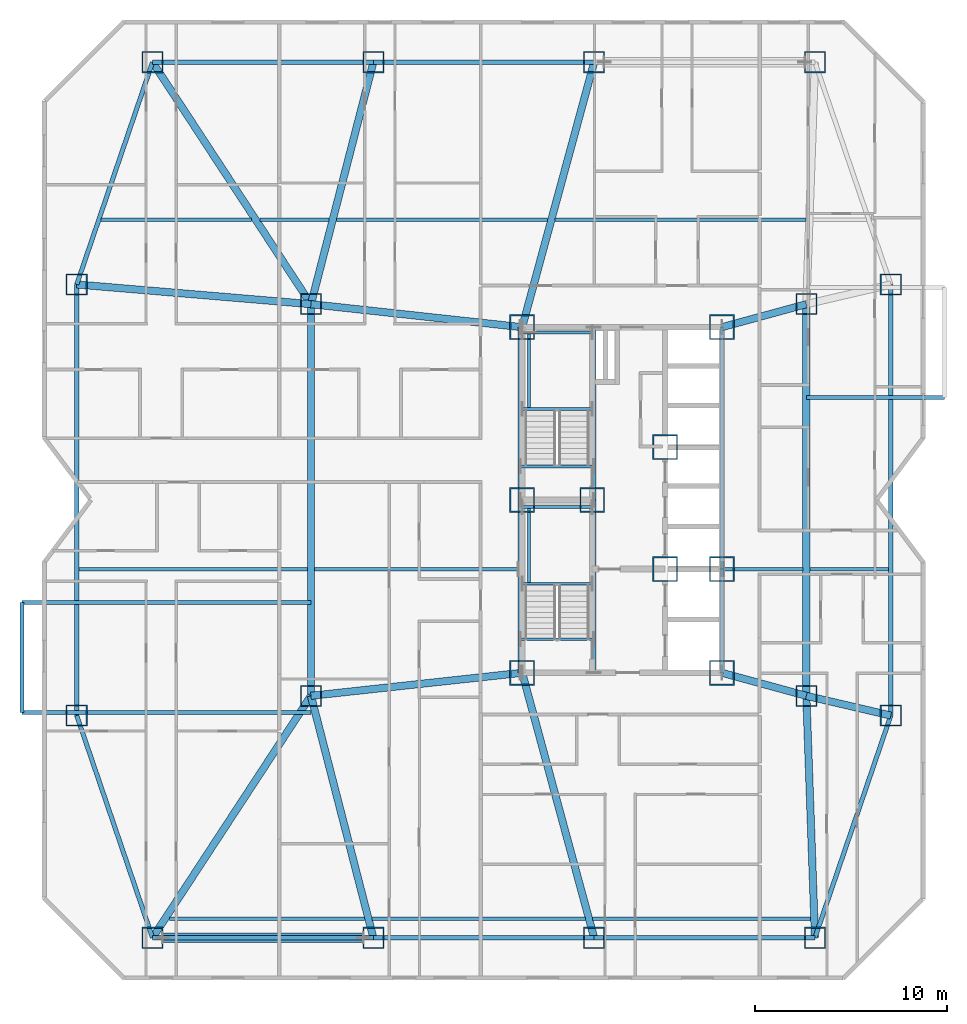
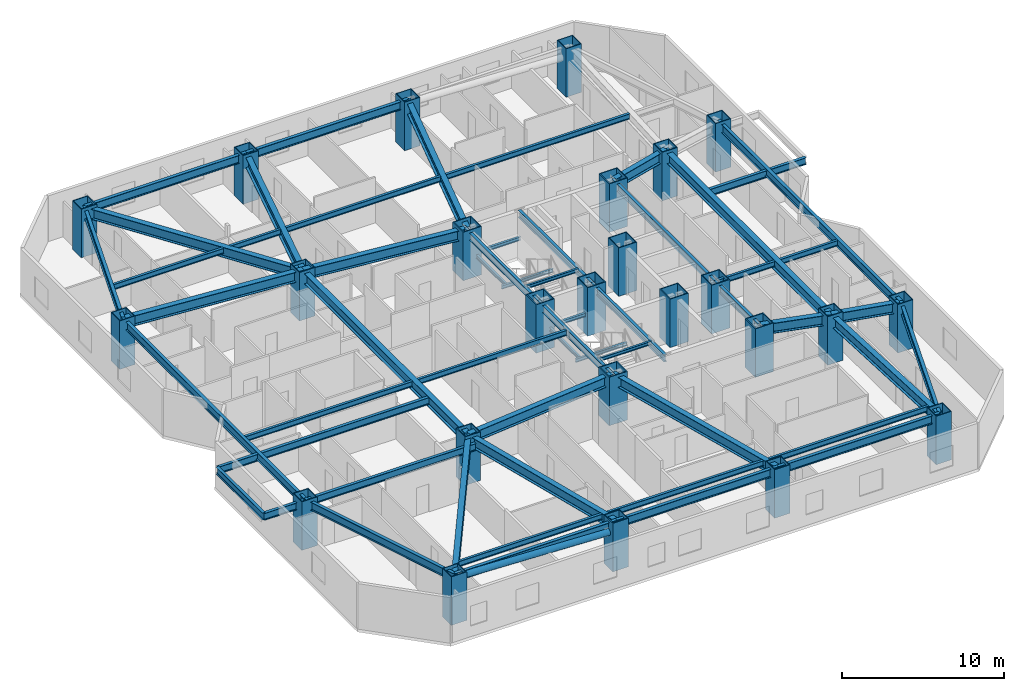
# One storey, part 1 of 13: 54 beams, 25 columns, 1 member.
"""IFC4 building model written with IfcOpenShell, lengths in metres."""

from ifc_helpers import new_model, si_unit, direction, frame, origin, origin_2d, place, context, subcontext, project, spatial, hollow_rectangle, hollow_circle, i_section, extrude, material, material_profile, profile_set, type_object, element, save


model = new_model("IFC4")

# Units and contexts
model_context = context("Model", 3, precision=1e-05, world=origin(), true_north=direction((0.0, 1.0)))
body_context = subcontext(model_context, "Body", "Model", "MODEL_VIEW")
ifc_project = project(units=[si_unit("LENGTHUNIT", "METRE"), si_unit("AREAUNIT", "SQUARE_METRE"), si_unit("VOLUMEUNIT", "CUBIC_METRE"), si_unit("PLANEANGLEUNIT", "RADIAN"), si_unit("MASSUNIT", "GRAM", prefix="KILO")], contexts=[model_context])

# Site, building, storey
site_placement = place(None, origin())
site = spatial("IfcSite", under=ifc_project, at=site_placement, CompositionType="ELEMENT")
building_placement = place(site_placement, origin())
building = spatial("IfcBuilding", under=site, at=building_placement, Name="Khamvora Tower", CompositionType="ELEMENT")
storey_placement = place(building_placement, frame((0.0, 0.0, 62.5)))
storey = spatial("IfcBuildingStorey", under=building, at=storey_placement, Name="L15", CompositionType="ELEMENT", Elevation=62.5)

# Columns
ifc_material_1 = material(Name="Steel S460", Category="steel")
ifc_material_profile_1 = material_profile(ifc_material_1, hollow_rectangle(XDim=1.10009765625, YDim=1.10009765625, WallThickness=0.054931640625, at=origin_2d()), Name="BOX1100x1100x55")
ifc_profile_set_1 = profile_set([ifc_material_profile_1], Name="Steel S460")
column_type_1 = type_object("IfcColumnType", Name="COL-BOX1100", PredefinedType="COLUMN", material=ifc_profile_set_1)
for number, where, z_axis, x_axis, name in (
    (1, (9.75, 5.199951171875, 0.0), (0.0, 0.0, 1.0), (1.0, 0.0, 0.0), "L15 structural frame column S1"),
    (2, (21.25, 5.199951171875, 0.0), (0.0, 0.0, 1.0), (1.0, 0.0, 0.0), "L15 structural frame column S2"),
    (3, (32.75, 5.199951171875, 0.0), (0.0, 0.0, 1.0), (1.0, 0.0, 0.0), "L15 structural frame column S3"),
    (4, (44.25, 5.199951171875, 0.0), (0.0, 0.0, 1.0), (1.0, 0.0, 0.0), "L15 structural frame column S4"),
    (5, (9.75, 50.800048828125, 0.0), (0.0, 0.0, 1.0), (1.0, 0.0, 0.0), "L15 structural frame column N1"),
    (6, (21.25, 50.800048828125, 0.0), (0.0, 0.0, 1.0), (1.0, 0.0, 0.0), "L15 structural frame column N2"),
    (7, (32.75, 50.800048828125, 0.0), (0.0, 0.0, 1.0), (1.0, 0.0, 0.0), "L15 structural frame column N3"),
    (8, (44.25, 50.800048828125, 0.0), (0.0, 0.0, 1.0), (1.0, 0.0, 0.0), "L15 structural frame column N4"),
    (9, (5.800048828125, 16.77490234375, 0.0), (0.0, 0.0, 1.0), (1.0, 0.0, 0.0), "L15 structural frame column W1"),
    (10, (5.800048828125, 39.22509765625, 0.0), (0.0, 0.0, 1.0), (1.0, 0.0, 0.0), "L15 structural frame column W2"),
    (11, (48.199951171875, 16.77490234375, 0.0), (0.0, 0.0, 1.0), (1.0, 0.0, 0.0), "L15 structural frame column E1"),
    (12, (48.199951171875, 39.22509765625, 0.0), (0.0, 0.0, 1.0), (1.0, 0.0, 0.0), "L15 structural frame column E2"),
    (13, (18.0, 17.800048828125, 0.0), (0.0, 0.0, 1.0), (1.0, 0.0, 0.0), "L15 structural frame column MW1"),
    (14, (18.0, 38.199951171875, 0.0), (0.0, 0.0, 1.0), (1.0, 0.0, 0.0), "L15 structural frame column MW2"),
    (15, (43.800048828125, 17.800048828125, 0.0), (0.0, 0.0, 1.0), (1.0, 0.0, 0.0), "L15 structural frame column M1"),
    (16, (43.800048828125, 38.199951171875, 0.0), (0.0, 0.0, 1.0), (1.0, 0.0, 0.0), "L15 structural frame column M2"),
):
    element("IfcColumn", number, at=place(storey_placement, frame(where, z_axis=z_axis, x_axis=x_axis)), inside=storey, type_object=column_type_1, Name=name, PredefinedType="COLUMN", context=body_context, shape_type="SweptSolid", body=[
        extrude(hollow_rectangle(XDim=1.10009765625, YDim=1.10009765625, WallThickness=0.054931640625, at=origin_2d()), origin(), (0.0, 0.0, 1.0), 3.64990234375),
    ])
ifc_material_profile_2 = material_profile(ifc_material_1, hollow_rectangle(XDim=1.300048828125, YDim=1.300048828125, WallThickness=0.06494140625, at=origin_2d()), Name="BOX1300x1300x65")
ifc_profile_set_2 = profile_set([ifc_material_profile_2], Name="Steel S460")
column_type_2 = type_object("IfcColumnType", Name="COL-BOX1300", PredefinedType="COLUMN", material=ifc_profile_set_2)
for number, where, z_axis, x_axis, name in (
    (17, (29.0, 19.0, 0.0), (0.0, 0.0, 1.0), (1.0, 0.0, 0.0), "L15 plumb core spine column SC1"),
    (18, (32.64990234375, 28.0, 0.0), (0.0, 0.0, 1.0), (1.0, 0.0, 0.0), "L15 plumb core spine column SC2"),
    (19, (39.39990234375, 19.0, 0.0), (0.0, 0.0, 1.0), (1.0, 0.0, 0.0), "L15 plumb core spine column SC3"),
    (20, (29.0, 28.0, 0.0), (0.0, 0.0, 1.0), (1.0, 0.0, 0.0), "L15 plumb core spine column SC4"),
    (21, (36.449951171875, 24.39990234375, 0.0), (0.0, 0.0, 1.0), (1.0, 0.0, 0.0), "L15 plumb core spine column SC5"),
    (22, (39.39990234375, 24.39990234375, 0.0), (0.0, 0.0, 1.0), (1.0, 0.0, 0.0), "L15 plumb core spine column SC6"),
    (23, (29.0, 37.0, 0.0), (0.0, 0.0, 1.0), (1.0, 0.0, 0.0), "L15 plumb core spine column SC7"),
    (24, (36.449951171875, 30.75, 0.0), (0.0, 0.0, 1.0), (1.0, 0.0, 0.0), "L15 plumb core spine column SC8"),
    (25, (39.39990234375, 37.0, 0.0), (0.0, 0.0, 1.0), (1.0, 0.0, 0.0), "L15 plumb core spine column SC9"),
):
    element("IfcColumn", number, at=place(storey_placement, frame(where, z_axis=z_axis, x_axis=x_axis)), inside=storey, type_object=column_type_2, Name=name, PredefinedType="COLUMN", context=body_context, shape_type="SweptSolid", body=[
        extrude(hollow_rectangle(XDim=1.300048828125, YDim=1.300048828125, WallThickness=0.06494140625, at=origin_2d()), origin(), (0.0, 0.0, 1.0), 3.64990234375),
    ])

# Beams
ifc_material_2 = material(Name="Steel S355", Category="steel")
ifc_material_profile_3 = material_profile(ifc_material_2, i_section(OverallWidth=0.177978515625, OverallDepth=0.406982421875, WebThickness=0.008056640625, FlangeThickness=0.012939453125, FilletRadius=0.010009765625, at=origin_2d()), Name="W410x60")
ifc_profile_set_3 = profile_set([ifc_material_profile_3], Name="Steel S355")
beam_type_1 = type_object("IfcBeamType", Name="BM-JS-W410x60", PredefinedType="JOIST", material=ifc_profile_set_3)
beam_1_placement = place(storey_placement, frame((10.626953125, 6.199951171875, 3.22705078125), z_axis=(1.0, 0.0, 0.0), x_axis=(0.0, 1.0, 0.0)))
element("IfcBeam", 26, at=beam_1_placement, inside=storey, type_object=beam_type_1, Name="L15 secondary floor joist 01", PredefinedType="JOIST", context=body_context, shape_type="SweptSolid", body=[
    extrude(i_section(OverallWidth=0.177978515625, OverallDepth=0.406982421875, WebThickness=0.008056640625, FlangeThickness=0.012939453125, FilletRadius=0.010009765625, at=origin_2d()), origin(), (0.0, 0.0, 1.0), 10.173095703125),
])
beam_2_placement = place(storey_placement, frame((21.18408203125, 6.199951171875, 3.22705078125), z_axis=(1.0, 0.0, 0.0), x_axis=(0.0, 1.0, 0.0)))
element("IfcBeam", 27, at=beam_2_placement, inside=storey, type_object=beam_type_1, Name="L15 secondary floor joist 02", PredefinedType="JOIST", context=body_context, shape_type="SweptSolid", body=[
    extrude(i_section(OverallWidth=0.177978515625, OverallDepth=0.406982421875, WebThickness=0.008056640625, FlangeThickness=0.012939453125, FilletRadius=0.010009765625, at=origin_2d()), origin(), (0.0, 0.0, 1.0), 11.101806640625),
])
beam_3_placement = place(storey_placement, frame((32.6708984375, 6.199951171875, 3.22705078125), z_axis=(1.0, 0.0, 0.0), x_axis=(0.0, 1.0, 0.0)))
element("IfcBeam", 28, at=beam_3_placement, inside=storey, type_object=beam_type_1, Name="L15 secondary floor joist 03", PredefinedType="JOIST", context=body_context, shape_type="SweptSolid", body=[
    extrude(i_section(OverallWidth=0.177978515625, OverallDepth=0.406982421875, WebThickness=0.008056640625, FlangeThickness=0.012939453125, FilletRadius=0.010009765625, at=origin_2d()), origin(), (0.0, 0.0, 1.0), 11.358154296875),
])
beam_4_placement = place(storey_placement, frame((5.909912109375, 24.39990234375, 3.22705078125), z_axis=(1.0, 0.0, 0.0), x_axis=(0.0, 1.0, 0.0)))
element("IfcBeam", 29, at=beam_4_placement, inside=storey, type_object=beam_type_1, Name="L15 secondary floor joist 04", PredefinedType="JOIST", context=body_context, shape_type="SweptSolid", body=[
    extrude(i_section(OverallWidth=0.177978515625, OverallDepth=0.406982421875, WebThickness=0.008056640625, FlangeThickness=0.012939453125, FilletRadius=0.010009765625, at=origin_2d()), origin(), (0.0, 0.0, 1.0), 11.904052734375),
])
beam_5_placement = place(storey_placement, frame((18.18603515625, 24.39990234375, 3.22705078125), z_axis=(1.0, 0.0, 0.0), x_axis=(0.0, 1.0, 0.0)))
element("IfcBeam", 30, at=beam_5_placement, inside=storey, type_object=beam_type_1, Name="L15 secondary floor joist 05", PredefinedType="JOIST", context=body_context, shape_type="SweptSolid", body=[
    extrude(i_section(OverallWidth=0.177978515625, OverallDepth=0.406982421875, WebThickness=0.008056640625, FlangeThickness=0.012939453125, FilletRadius=0.010009765625, at=origin_2d()), origin(), (0.0, 0.0, 1.0), 10.614013671875),
])
beam_6_placement = place(storey_placement, frame((39.4990234375, 24.39990234375, 3.22705078125), z_axis=(1.0, 0.0, 0.0), x_axis=(0.0, 1.0, 0.0)))
element("IfcBeam", 31, at=beam_6_placement, inside=storey, type_object=beam_type_1, Name="L15 secondary floor joist 06", PredefinedType="JOIST", context=body_context, shape_type="SweptSolid", body=[
    extrude(i_section(OverallWidth=0.177978515625, OverallDepth=0.406982421875, WebThickness=0.008056640625, FlangeThickness=0.012939453125, FilletRadius=0.010009765625, at=origin_2d()), origin(), (0.0, 0.0, 1.0), 4.114990234375),
])
beam_7_placement = place(storey_placement, frame((43.985107421875, 24.39990234375, 3.22705078125), z_axis=(1.0, 0.0, 0.0), x_axis=(0.0, 1.0, 0.0)))
element("IfcBeam", 32, at=beam_7_placement, inside=storey, type_object=beam_type_1, Name="L15 secondary floor joist 07", PredefinedType="JOIST", context=body_context, shape_type="SweptSolid", body=[
    extrude(i_section(OverallWidth=0.177978515625, OverallDepth=0.406982421875, WebThickness=0.008056640625, FlangeThickness=0.012939453125, FilletRadius=0.010009765625, at=origin_2d()), origin(), (0.0, 0.0, 1.0), 4.10498046875),
])
beam_8_placement = place(storey_placement, frame((7.068115234375, 42.60009765625, 3.22705078125), z_axis=(1.0, 0.0, 0.0), x_axis=(0.0, 1.0, 0.0)))
element("IfcBeam", 33, at=beam_8_placement, inside=storey, type_object=beam_type_1, Name="L15 secondary floor joist 08", PredefinedType="JOIST", context=body_context, shape_type="SweptSolid", body=[
    extrude(i_section(OverallWidth=0.177978515625, OverallDepth=0.406982421875, WebThickness=0.008056640625, FlangeThickness=0.012939453125, FilletRadius=0.010009765625, at=origin_2d()), origin(), (0.0, 0.0, 1.0), 7.827880859375),
])
beam_9_placement = place(storey_placement, frame((15.342041015625, 42.60009765625, 3.22705078125), z_axis=(1.0, 0.0, 0.0), x_axis=(0.0, 1.0, 0.0)))
element("IfcBeam", 34, at=beam_9_placement, inside=storey, type_object=beam_type_1, Name="L15 secondary floor joist 09", PredefinedType="JOIST", context=body_context, shape_type="SweptSolid", body=[
    extrude(i_section(OverallWidth=0.177978515625, OverallDepth=0.406982421875, WebThickness=0.008056640625, FlangeThickness=0.012939453125, FilletRadius=0.010009765625, at=origin_2d()), origin(), (0.0, 0.0, 1.0), 3.60107421875),
])
beam_10_placement = place(storey_placement, frame((19.326904296875, 42.60009765625, 3.22705078125), z_axis=(1.0, 0.0, 0.0), x_axis=(0.0, 1.0, 0.0)))
element("IfcBeam", 35, at=beam_10_placement, inside=storey, type_object=beam_type_1, Name="L15 secondary floor joist 10", PredefinedType="JOIST", context=body_context, shape_type="SweptSolid", body=[
    extrude(i_section(OverallWidth=0.177978515625, OverallDepth=0.406982421875, WebThickness=0.008056640625, FlangeThickness=0.012939453125, FilletRadius=0.010009765625, at=origin_2d()), origin(), (0.0, 0.0, 1.0), 11.002197265625),
])
beam_11_placement = place(storey_placement, frame((30.714111328125, 42.60009765625, 3.22705078125), z_axis=(1.0, 0.0, 0.0), x_axis=(0.0, 1.0, 0.0)))
element("IfcBeam", 36, at=beam_11_placement, inside=storey, type_object=beam_type_1, Name="L15 secondary floor joist 11", PredefinedType="JOIST", context=body_context, shape_type="SweptSolid", body=[
    extrude(i_section(OverallWidth=0.177978515625, OverallDepth=0.406982421875, WebThickness=0.008056640625, FlangeThickness=0.012939453125, FilletRadius=0.010009765625, at=origin_2d()), origin(), (0.0, 0.0, 1.0), 13.057861328125),
])
ifc_material_profile_4 = material_profile(ifc_material_2, i_section(OverallWidth=0.14697265625, OverallDepth=0.261962890625, WebThickness=0.007080078125, FlangeThickness=0.010986328125, FilletRadius=0.008056640625, at=origin_2d()), Name="W250x39")
ifc_profile_set_4 = profile_set([ifc_material_profile_4], Name="Steel S355")
beam_type_2 = type_object("IfcBeamType", Name="BM-LN-W250x39", PredefinedType="LINTEL", material=ifc_profile_set_4)
for number, where, z_axis, x_axis, name in (
    (37, (29.0, 23.635009765625, 1.493896484375), (1.0, 0.0, 0.0), (0.0, 1.0, 0.0), "L15 ST-01 half-landing support beam 1.1"),
    (38, (29.0, 27.6298828125, 1.493896484375), (1.0, 0.0, 0.0), (0.0, 1.0, 0.0), "L15 ST-01 half-landing support beam 1.2"),
):
    element("IfcBeam", number, at=place(storey_placement, frame(where, z_axis=z_axis, x_axis=x_axis)), inside=storey, type_object=beam_type_2, Name=name, PredefinedType="LINTEL", context=body_context, shape_type="SweptSolid", body=[
        extrude(i_section(OverallWidth=0.14697265625, OverallDepth=0.261962890625, WebThickness=0.007080078125, FlangeThickness=0.010986328125, FilletRadius=0.008056640625, at=origin_2d()), origin(), (0.0, 0.0, 1.0), 3.64990234375),
    ])
beam_12_placement = place(storey_placement, frame((29.35009765625, 23.635009765625, 1.493896484375), z_axis=(0.0, 1.0, 0.0), x_axis=(-1.0, 0.0, 0.0)))
element("IfcBeam", 39, at=beam_12_placement, inside=storey, type_object=beam_type_2, Name="L15 ST-01 half-landing edge stringer 1", PredefinedType="LINTEL", context=body_context, shape_type="SweptSolid", body=[
    extrude(i_section(OverallWidth=0.14697265625, OverallDepth=0.261962890625, WebThickness=0.007080078125, FlangeThickness=0.010986328125, FilletRadius=0.008056640625, at=origin_2d()), origin(), (0.0, 0.0, 1.0), 3.994873046875),
])
for number, where, z_axis, x_axis, name in (
    (40, (29.0, 32.735107421875, 1.493896484375), (1.0, 0.0, 0.0), (0.0, 1.0, 0.0), "L15 ST-02 half-landing support beam 1.1"),
    (41, (29.0, 36.72998046875, 1.493896484375), (1.0, 0.0, 0.0), (0.0, 1.0, 0.0), "L15 ST-02 half-landing support beam 1.2"),
):
    element("IfcBeam", number, at=place(storey_placement, frame(where, z_axis=z_axis, x_axis=x_axis)), inside=storey, type_object=beam_type_2, Name=name, PredefinedType="LINTEL", context=body_context, shape_type="SweptSolid", body=[
        extrude(i_section(OverallWidth=0.14697265625, OverallDepth=0.261962890625, WebThickness=0.007080078125, FlangeThickness=0.010986328125, FilletRadius=0.008056640625, at=origin_2d()), origin(), (0.0, 0.0, 1.0), 3.64990234375),
    ])
beam_13_placement = place(storey_placement, frame((29.35009765625, 32.735107421875, 1.493896484375), z_axis=(0.0, 1.0, 0.0), x_axis=(-1.0, 0.0, 0.0)))
element("IfcBeam", 42, at=beam_13_placement, inside=storey, type_object=beam_type_2, Name="L15 ST-02 half-landing edge stringer 1", PredefinedType="LINTEL", context=body_context, shape_type="SweptSolid", body=[
    extrude(i_section(OverallWidth=0.14697265625, OverallDepth=0.261962890625, WebThickness=0.007080078125, FlangeThickness=0.010986328125, FilletRadius=0.008056640625, at=origin_2d()), origin(), (0.0, 0.0, 1.0), 3.994873046875),
])
for number, where, z_axis, x_axis, name in (
    (43, (28.89990234375, 20.75, 3.303955078125), (1.0, 0.0, 0.0), (0.0, 1.0, 0.0), "L15 exit stair ST-01 landing trimmer beam"),
    (44, (28.89990234375, 29.75, 3.303955078125), (1.0, 0.0, 0.0), (0.0, 1.0, 0.0), "L15 exit stair ST-02 landing trimmer beam"),
):
    element("IfcBeam", number, at=place(storey_placement, frame(where, z_axis=z_axis, x_axis=x_axis)), inside=storey, type_object=beam_type_2, Name=name, PredefinedType="LINTEL", context=body_context, shape_type="SweptSolid", body=[
        extrude(i_section(OverallWidth=0.14697265625, OverallDepth=0.261962890625, WebThickness=0.007080078125, FlangeThickness=0.010986328125, FilletRadius=0.008056640625, at=origin_2d()), origin(), (0.0, 0.0, 1.0), 3.830078125),
    ])
ifc_material_profile_5 = material_profile(ifc_material_2, i_section(OverallWidth=0.381103515625, OverallDepth=0.77294921875, WebThickness=0.01708984375, FlangeThickness=0.027099609375, FilletRadius=0.01806640625, at=origin_2d()), Name="W760x257")
ifc_profile_set_5 = profile_set([ifc_material_profile_5], Name="Steel S355")
beam_type_3 = type_object("IfcBeamType", Name="BM-PG-W760x257", PredefinedType="BEAM", material=ifc_profile_set_5)
for number, where, z_axis, x_axis, name in (
    (45, (43.800048828125, 17.800048828125, 3.0439453125), (0.0, 1.0, 0.0), (-1.0, 0.0, 0.0), "L15 longitudinal frame girder M1-M2"),
    (46, (18.0, 17.800048828125, 3.0439453125), (0.0, 1.0, 0.0), (-1.0, 0.0, 0.0), "L15 longitudinal frame girder MW1-MW2"),
):
    element("IfcBeam", number, at=place(storey_placement, frame(where, z_axis=z_axis, x_axis=x_axis)), inside=storey, type_object=beam_type_3, Name=name, PredefinedType="BEAM", context=body_context, shape_type="SweptSolid", body=[
        extrude(i_section(OverallWidth=0.381103515625, OverallDepth=0.77294921875, WebThickness=0.01708984375, FlangeThickness=0.027099609375, FilletRadius=0.01806640625, at=origin_2d()), origin(), (0.0, 0.0, 1.0), 20.39990234375),
    ])
beam_14_placement = place(storey_placement, frame((18.0, 17.800048828125, 3.0439453125), z_axis=(-0.547782969742, -0.836620474325, 0.0), x_axis=(0.836620474325, -0.547782969742, 0.0)))
element("IfcBeam", 47, at=beam_14_placement, inside=storey, type_object=beam_type_3, Name="L15 primary floor girder S1", PredefinedType="BEAM", context=body_context, shape_type="SweptSolid", body=[
    extrude(i_section(OverallWidth=0.381103515625, OverallDepth=0.77294921875, WebThickness=0.01708984375, FlangeThickness=0.027099609375, FilletRadius=0.01806640625, at=origin_2d()), origin(), (0.0, 0.0, 1.0), 15.060791015625),
])
beam_15_placement = place(storey_placement, frame((18.0, 17.800048828125, 3.0439453125), z_axis=(0.249759990341, -0.968307775051, 0.0), x_axis=(0.968307775051, 0.249759990341, 0.0)))
element("IfcBeam", 48, at=beam_15_placement, inside=storey, type_object=beam_type_3, Name="L15 primary floor girder S2", PredefinedType="BEAM", context=body_context, shape_type="SweptSolid", body=[
    extrude(i_section(OverallWidth=0.381103515625, OverallDepth=0.77294921875, WebThickness=0.01708984375, FlangeThickness=0.027099609375, FilletRadius=0.01806640625, at=origin_2d()), origin(), (0.0, 0.0, 1.0), 13.012451171875),
])
beam_16_placement = place(storey_placement, frame((29.0, 19.0, 3.0439453125), z_axis=(0.262228883577, -0.965005706003, 0.0), x_axis=(0.965005706003, 0.262228883577, 0.0)))
element("IfcBeam", 49, at=beam_16_placement, inside=storey, type_object=beam_type_3, Name="L15 primary floor girder S3", PredefinedType="BEAM", context=body_context, shape_type="SweptSolid", body=[
    extrude(i_section(OverallWidth=0.381103515625, OverallDepth=0.77294921875, WebThickness=0.01708984375, FlangeThickness=0.027099609375, FilletRadius=0.01806640625, at=origin_2d()), origin(), (0.0, 0.0, 1.0), 14.300537109375),
])
beam_17_placement = place(storey_placement, frame((43.800048828125, 17.800048828125, 3.0439453125), z_axis=(0.035687386423, -0.999363002342, 0.0), x_axis=(0.999363002342, 0.035687386423, 0.0)))
element("IfcBeam", 50, at=beam_17_placement, inside=storey, type_object=beam_type_3, Name="L15 primary floor girder S4", PredefinedType="BEAM", context=body_context, shape_type="SweptSolid", body=[
    extrude(i_section(OverallWidth=0.381103515625, OverallDepth=0.77294921875, WebThickness=0.01708984375, FlangeThickness=0.027099609375, FilletRadius=0.01806640625, at=origin_2d()), origin(), (0.0, 0.0, 1.0), 12.608154296875),
])
beam_18_placement = place(storey_placement, frame((18.0, 38.199951171875, 3.0439453125), z_axis=(-0.547782969742, 0.836620474325, 0.0), x_axis=(-0.836620474325, -0.547782969742, 0.0)))
element("IfcBeam", 51, at=beam_18_placement, inside=storey, type_object=beam_type_3, Name="L15 primary floor girder N1", PredefinedType="BEAM", context=body_context, shape_type="SweptSolid", body=[
    extrude(i_section(OverallWidth=0.381103515625, OverallDepth=0.77294921875, WebThickness=0.01708984375, FlangeThickness=0.027099609375, FilletRadius=0.01806640625, at=origin_2d()), origin(), (0.0, 0.0, 1.0), 15.060791015625),
])
beam_19_placement = place(storey_placement, frame((18.0, 38.199951171875, 3.0439453125), z_axis=(0.249759990341, 0.968307775051, 0.0), x_axis=(-0.968307775051, 0.249759990341, 0.0)))
element("IfcBeam", 52, at=beam_19_placement, inside=storey, type_object=beam_type_3, Name="L15 primary floor girder N2", PredefinedType="BEAM", context=body_context, shape_type="SweptSolid", body=[
    extrude(i_section(OverallWidth=0.381103515625, OverallDepth=0.77294921875, WebThickness=0.01708984375, FlangeThickness=0.027099609375, FilletRadius=0.01806640625, at=origin_2d()), origin(), (0.0, 0.0, 1.0), 13.012451171875),
])
beam_20_placement = place(storey_placement, frame((29.0, 37.0, 3.0439453125), z_axis=(0.262228883577, 0.965005706003, 0.0), x_axis=(-0.965005706003, 0.262228883577, 0.0)))
element("IfcBeam", 53, at=beam_20_placement, inside=storey, type_object=beam_type_3, Name="L15 primary floor girder N3", PredefinedType="BEAM", context=body_context, shape_type="SweptSolid", body=[
    extrude(i_section(OverallWidth=0.381103515625, OverallDepth=0.77294921875, WebThickness=0.01708984375, FlangeThickness=0.027099609375, FilletRadius=0.01806640625, at=origin_2d()), origin(), (0.0, 0.0, 1.0), 14.300537109375),
])
beam_21_placement = place(storey_placement, frame((18.0, 38.199951171875, 3.0439453125), z_axis=(-0.996488172114, 0.083733642207, 0.0), x_axis=(-0.083733642207, -0.996488172114, 0.0)))
element("IfcBeam", 54, at=beam_21_placement, inside=storey, type_object=beam_type_3, Name="L15 primary floor girder W2", PredefinedType="BEAM", context=body_context, shape_type="SweptSolid", body=[
    extrude(i_section(OverallWidth=0.381103515625, OverallDepth=0.77294921875, WebThickness=0.01708984375, FlangeThickness=0.027099609375, FilletRadius=0.01806640625, at=origin_2d()), origin(), (0.0, 0.0, 1.0), 12.242919921875),
])
beam_22_placement = place(storey_placement, frame((43.800048828125, 17.800048828125, 3.0439453125), z_axis=(0.973914503503, -0.226915270237, 0.0), x_axis=(0.226915270237, 0.973914503503, 0.0)))
element("IfcBeam", 55, at=beam_22_placement, inside=storey, type_object=beam_type_3, Name="L15 primary floor girder E1", PredefinedType="BEAM", context=body_context, shape_type="SweptSolid", body=[
    extrude(i_section(OverallWidth=0.381103515625, OverallDepth=0.77294921875, WebThickness=0.01708984375, FlangeThickness=0.027099609375, FilletRadius=0.01806640625, at=origin_2d()), origin(), (0.0, 0.0, 1.0), 4.517822265625),
])
for number, where, z_axis, x_axis, name in (
    (56, (29.0, 19.0, 3.0439453125), (-0.994102652327, -0.108443149329, 0.0), (0.108443149329, -0.994102652327, 0.0), "L15 primary floor girder MW1"),
    (57, (29.0, 37.0, 3.0439453125), (-0.994102652327, 0.108443149329, 0.0), (-0.108443149329, -0.994102652327, 0.0), "L15 primary floor girder MW2"),
):
    element("IfcBeam", number, at=place(storey_placement, frame(where, z_axis=z_axis, x_axis=x_axis)), inside=storey, type_object=beam_type_3, Name=name, PredefinedType="BEAM", context=body_context, shape_type="SweptSolid", body=[
        extrude(i_section(OverallWidth=0.381103515625, OverallDepth=0.77294921875, WebThickness=0.01708984375, FlangeThickness=0.027099609375, FilletRadius=0.01806640625, at=origin_2d()), origin(), (0.0, 0.0, 1.0), 11.065185546875),
    ])
for number, where, z_axis, x_axis, name in (
    (58, (39.39990234375, 19.0, 3.0439453125), (0.964768762286, -0.263099287945, 0.0), (0.263099287945, 0.964768762286, 0.0), "L15 primary floor girder M1"),
    (59, (39.39990234375, 37.0, 3.0439453125), (0.964768762286, 0.263099287945, 0.0), (-0.263099287945, 0.964768762286, 0.0), "L15 primary floor girder M2"),
):
    element("IfcBeam", number, at=place(storey_placement, frame(where, z_axis=z_axis, x_axis=x_axis)), inside=storey, type_object=beam_type_3, Name=name, PredefinedType="BEAM", context=body_context, shape_type="SweptSolid", body=[
        extrude(i_section(OverallWidth=0.381103515625, OverallDepth=0.77294921875, WebThickness=0.01708984375, FlangeThickness=0.027099609375, FilletRadius=0.01806640625, at=origin_2d()), origin(), (0.0, 0.0, 1.0), 4.560791015625),
    ])
ifc_material_profile_6 = material_profile(ifc_material_2, i_section(OverallWidth=0.208984375, OverallDepth=0.532958984375, WebThickness=0.010009765625, FlangeThickness=0.01611328125, FilletRadius=0.013916015625, at=origin_2d()), Name="W530x92")
ifc_profile_set_6 = profile_set([ifc_material_profile_6], Name="Steel S355")
beam_type_4 = type_object("IfcBeamType", Name="BM-SP-W530x92", PredefinedType="SPANDREL", material=ifc_profile_set_6)
for number, where, z_axis, x_axis, name in (
    (60, (28.89990234375, 19.0, 3.1640625), (0.0, 1.0, 0.0), (-1.0, 0.0, 0.0), "L15 core spine girder WS"),
    (61, (28.89990234375, 28.0, 3.1640625), (0.0, 1.0, 0.0), (-1.0, 0.0, 0.0), "L15 core spine girder WN"),
    (62, (32.72998046875, 19.0, 3.1640625), (0.0, 1.0, 0.0), (-1.0, 0.0, 0.0), "L15 core spine girder M1S"),
    (63, (32.72998046875, 28.0, 3.1640625), (0.0, 1.0, 0.0), (-1.0, 0.0, 0.0), "L15 core spine girder M1N"),
):
    element("IfcBeam", number, at=place(storey_placement, frame(where, z_axis=z_axis, x_axis=x_axis)), inside=storey, type_object=beam_type_4, Name=name, PredefinedType="SPANDREL", context=body_context, shape_type="SweptSolid", body=[
        extrude(i_section(OverallWidth=0.208984375, OverallDepth=0.532958984375, WebThickness=0.010009765625, FlangeThickness=0.01611328125, FilletRadius=0.013916015625, at=origin_2d()), origin(), (0.0, 0.0, 1.0), 9.0),
    ])
beam_23_placement = place(storey_placement, frame((39.39990234375, 19.0, 3.1640625), z_axis=(0.0, 1.0, 0.0), x_axis=(-1.0, 0.0, 0.0)))
element("IfcBeam", 64, at=beam_23_placement, inside=storey, type_object=beam_type_4, Name="L15 core spine girder ES", PredefinedType="SPANDREL", context=body_context, shape_type="SweptSolid", body=[
    extrude(i_section(OverallWidth=0.208984375, OverallDepth=0.532958984375, WebThickness=0.010009765625, FlangeThickness=0.01611328125, FilletRadius=0.013916015625, at=origin_2d()), origin(), (0.0, 0.0, 1.0), 5.39990234375),
])
beam_24_placement = place(storey_placement, frame((39.39990234375, 24.39990234375, 3.1640625), z_axis=(0.0, 1.0, 0.0), x_axis=(-1.0, 0.0, 0.0)))
element("IfcBeam", 65, at=beam_24_placement, inside=storey, type_object=beam_type_4, Name="L15 core spine girder EN", PredefinedType="SPANDREL", context=body_context, shape_type="SweptSolid", body=[
    extrude(i_section(OverallWidth=0.208984375, OverallDepth=0.532958984375, WebThickness=0.010009765625, FlangeThickness=0.01611328125, FilletRadius=0.013916015625, at=origin_2d()), origin(), (0.0, 0.0, 1.0), 12.60009765625),
])
beam_25_placement = place(storey_placement, frame((43.800048828125, 33.35009765625, 2.964111328125), z_axis=(1.0, 0.0, 0.0), x_axis=(0.0, 1.0, 0.0)))
element("IfcBeam", 66, at=beam_25_placement, inside=storey, type_object=beam_type_4, Name="L15 continuous gallery cantilever girder L16-EL2-1", PredefinedType="SPANDREL", context=body_context, shape_type="SweptSolid", body=[
    extrude(i_section(OverallWidth=0.208984375, OverallDepth=0.532958984375, WebThickness=0.010009765625, FlangeThickness=0.01611328125, FilletRadius=0.013916015625, at=origin_2d()), origin(), (0.0, 0.0, 1.0), 7.18505859375),
])
for number, where, z_axis, x_axis, name in (
    (67, (18.0, 16.925048828125, 2.964111328125), (-1.0, 0.0, 0.0), (0.0, -1.0, 0.0), "L15 continuous gallery cantilever girder L16-WL1-1"),
    (68, (18.0, 22.64990234375, 2.964111328125), (-1.0, 0.0, 0.0), (0.0, -1.0, 0.0), "L15 continuous gallery cantilever girder L16-WL1-2"),
):
    element("IfcBeam", number, at=place(storey_placement, frame(where, z_axis=z_axis, x_axis=x_axis)), inside=storey, type_object=beam_type_4, Name=name, PredefinedType="SPANDREL", context=body_context, shape_type="SweptSolid", body=[
        extrude(i_section(OverallWidth=0.208984375, OverallDepth=0.532958984375, WebThickness=0.010009765625, FlangeThickness=0.01611328125, FilletRadius=0.013916015625, at=origin_2d()), origin(), (0.0, 0.0, 1.0), 15.050048828125),
    ])
beam_26_placement = place(storey_placement, frame((2.949951171875, 16.925048828125, 2.964111328125), z_axis=(0.0, 1.0, 0.0), x_axis=(-1.0, 0.0, 0.0)))
element("IfcBeam", 69, at=beam_26_placement, inside=storey, type_object=beam_type_4, Name="L15 external gallery edge header beam L16-WL1", PredefinedType="SPANDREL", context=body_context, shape_type="SweptSolid", body=[
    extrude(i_section(OverallWidth=0.208984375, OverallDepth=0.532958984375, WebThickness=0.010009765625, FlangeThickness=0.01611328125, FilletRadius=0.013916015625, at=origin_2d()), origin(), (0.0, 0.0, 1.0), 5.724853515625),
])
ifc_material_profile_7 = material_profile(ifc_material_2, i_section(OverallWidth=0.22998046875, OverallDepth=0.616943359375, WebThickness=0.012939453125, FlangeThickness=0.02197265625, FilletRadius=0.013916015625, at=origin_2d()), Name="W610x140")
ifc_profile_set_7 = profile_set([ifc_material_profile_7], Name="Steel S355")
beam_type_5 = type_object("IfcBeamType", Name="BM-SP-W610x140", PredefinedType="SPANDREL", material=ifc_profile_set_7)
beam_27_placement = place(storey_placement, frame((5.800048828125, 16.77490234375, 3.1220703125), z_axis=(0.322962893199, -0.946411628002, 0.0), x_axis=(0.946411628002, 0.322962893199, 0.0)))
element("IfcBeam", 70, at=beam_27_placement, inside=storey, type_object=beam_type_5, Name="L15 perimeter spandrel beam W1-S1", PredefinedType="SPANDREL", context=body_context, shape_type="SweptSolid", body=[
    extrude(i_section(OverallWidth=0.22998046875, OverallDepth=0.616943359375, WebThickness=0.012939453125, FlangeThickness=0.02197265625, FilletRadius=0.013916015625, at=origin_2d()), origin(), (0.0, 0.0, 1.0), 12.23046875),
])
for number, where, z_axis, x_axis, name in (
    (71, (9.75, 5.199951171875, 3.1220703125), (1.0, 0.0, 0.0), (0.0, 1.0, 0.0), "L15 perimeter spandrel beam S1-S2"),
    (72, (21.25, 5.199951171875, 3.1220703125), (1.0, 0.0, 0.0), (0.0, 1.0, 0.0), "L15 perimeter spandrel beam S2-S3"),
    (73, (32.75, 5.199951171875, 3.1220703125), (1.0, 0.0, 0.0), (0.0, 1.0, 0.0), "L15 perimeter spandrel beam S3-S4"),
):
    element("IfcBeam", number, at=place(storey_placement, frame(where, z_axis=z_axis, x_axis=x_axis)), inside=storey, type_object=beam_type_5, Name=name, PredefinedType="SPANDREL", context=body_context, shape_type="SweptSolid", body=[
        extrude(i_section(OverallWidth=0.22998046875, OverallDepth=0.616943359375, WebThickness=0.012939453125, FlangeThickness=0.02197265625, FilletRadius=0.013916015625, at=origin_2d()), origin(), (0.0, 0.0, 1.0), 11.5),
    ])
beam_28_placement = place(storey_placement, frame((44.25, 5.199951171875, 3.1220703125), z_axis=(0.322962893199, 0.946411628002, 0.0), x_axis=(-0.946411628002, 0.322962893199, 0.0)))
element("IfcBeam", 74, at=beam_28_placement, inside=storey, type_object=beam_type_5, Name="L15 perimeter spandrel beam S4-E1", PredefinedType="SPANDREL", context=body_context, shape_type="SweptSolid", body=[
    extrude(i_section(OverallWidth=0.22998046875, OverallDepth=0.616943359375, WebThickness=0.012939453125, FlangeThickness=0.02197265625, FilletRadius=0.013916015625, at=origin_2d()), origin(), (0.0, 0.0, 1.0), 12.23046875),
])
beam_29_placement = place(storey_placement, frame((48.199951171875, 16.77490234375, 3.1220703125), z_axis=(0.0, 1.0, 0.0), x_axis=(-1.0, 0.0, 0.0)))
element("IfcBeam", 75, at=beam_29_placement, inside=storey, type_object=beam_type_5, Name="L15 perimeter spandrel beam E1-E2", PredefinedType="SPANDREL", context=body_context, shape_type="SweptSolid", body=[
    extrude(i_section(OverallWidth=0.22998046875, OverallDepth=0.616943359375, WebThickness=0.012939453125, FlangeThickness=0.02197265625, FilletRadius=0.013916015625, at=origin_2d()), origin(), (0.0, 0.0, 1.0), 22.4501953125),
])
for number, where, z_axis, x_axis, name in (
    (76, (32.75, 50.800048828125, 3.1220703125), (-1.0, 0.0, 0.0), (0.0, -1.0, 0.0), "L15 perimeter spandrel beam N3-N2"),
    (77, (21.25, 50.800048828125, 3.1220703125), (-1.0, 0.0, 0.0), (0.0, -1.0, 0.0), "L15 perimeter spandrel beam N2-N1"),
):
    element("IfcBeam", number, at=place(storey_placement, frame(where, z_axis=z_axis, x_axis=x_axis)), inside=storey, type_object=beam_type_5, Name=name, PredefinedType="SPANDREL", context=body_context, shape_type="SweptSolid", body=[
        extrude(i_section(OverallWidth=0.22998046875, OverallDepth=0.616943359375, WebThickness=0.012939453125, FlangeThickness=0.02197265625, FilletRadius=0.013916015625, at=origin_2d()), origin(), (0.0, 0.0, 1.0), 11.5),
    ])
beam_30_placement = place(storey_placement, frame((9.75, 50.800048828125, 3.1220703125), z_axis=(-0.322962893199, -0.946411628002, 0.0), x_axis=(0.946411628002, -0.322962893199, 0.0)))
element("IfcBeam", 78, at=beam_30_placement, inside=storey, type_object=beam_type_5, Name="L15 perimeter spandrel beam N1-W2", PredefinedType="SPANDREL", context=body_context, shape_type="SweptSolid", body=[
    extrude(i_section(OverallWidth=0.22998046875, OverallDepth=0.616943359375, WebThickness=0.012939453125, FlangeThickness=0.02197265625, FilletRadius=0.013916015625, at=origin_2d()), origin(), (0.0, 0.0, 1.0), 12.23046875),
])
beam_31_placement = place(storey_placement, frame((5.800048828125, 39.22509765625, 3.1220703125), z_axis=(0.0, -1.0, 0.0), x_axis=(1.0, 0.0, 0.0)))
element("IfcBeam", 79, at=beam_31_placement, inside=storey, type_object=beam_type_5, Name="L15 perimeter spandrel beam W2-W1", PredefinedType="SPANDREL", context=body_context, shape_type="SweptSolid", body=[
    extrude(i_section(OverallWidth=0.22998046875, OverallDepth=0.616943359375, WebThickness=0.012939453125, FlangeThickness=0.02197265625, FilletRadius=0.013916015625, at=origin_2d()), origin(), (0.0, 0.0, 1.0), 22.4501953125),
])

# Member
ifc_material_profile_8 = material_profile(ifc_material_1, hollow_circle(Radius=0.25390625, WallThickness=0.02490234375, at=origin_2d()), Name="CHS508x25")
ifc_profile_set_8 = profile_set([ifc_material_profile_8], Name="Steel S460")
member_type = type_object("IfcMemberType", Name="MEM-BR-CHS508", PredefinedType="BRACE", material=ifc_profile_set_8)
member_placement = place(storey_placement, frame((20.719970703125, 5.199951171875, 2.699951171875), z_axis=(-0.999259102168, 0.0, 0.038486968366), x_axis=(0.0, -1.0, 0.0)))
element("IfcMember", 80, at=member_placement, inside=storey, type_object=member_type, Name="L15 perimeter wind brace 1", PredefinedType="BRACE", context=body_context, shape_type="SweptSolid", body=[
    extrude(hollow_circle(Radius=0.25390625, WallThickness=0.02490234375, at=origin_2d()), origin(), (0.0, 0.0, 1.0), 10.44775390625),
])

save(model, "model.ifc")
